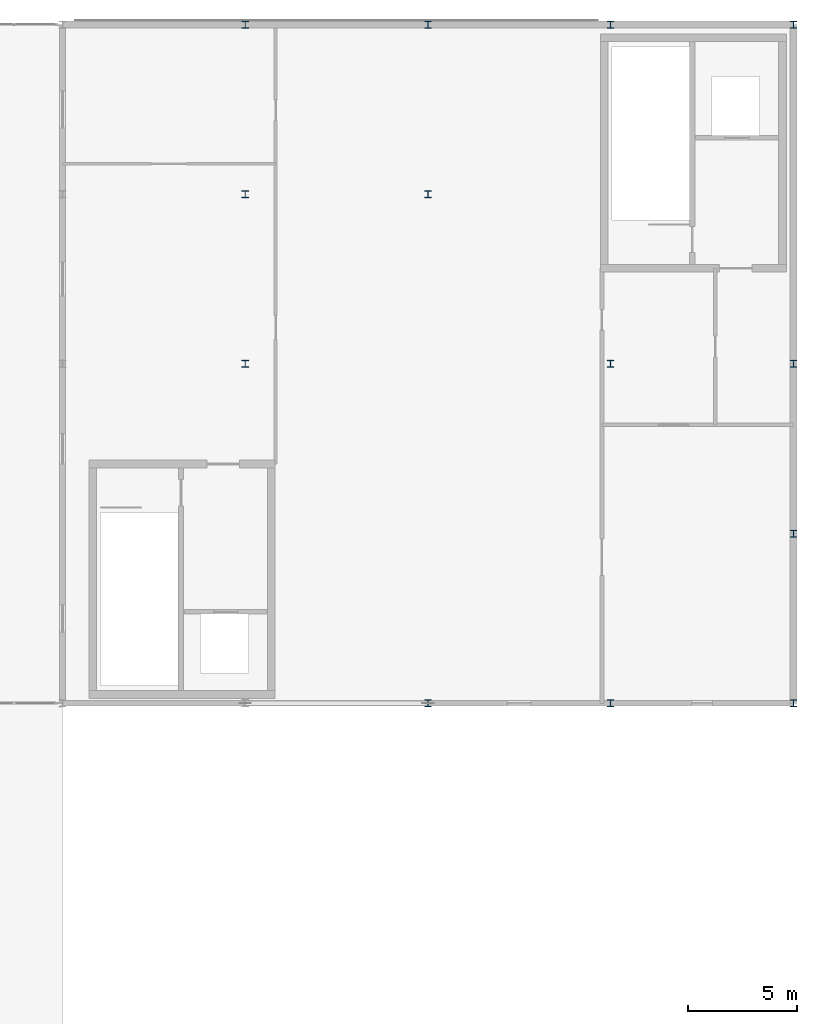
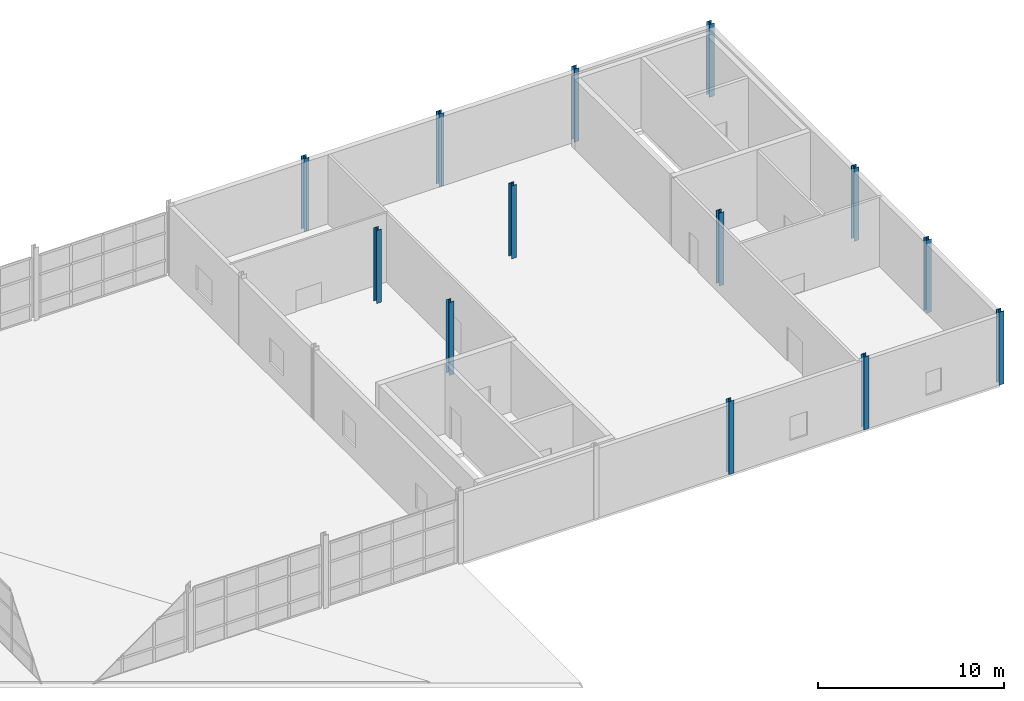
# One storey, part 2 of 14: 13 columns.
"""IFC4 building model written with IfcOpenShell, lengths in metres."""

from ifc_helpers import new_model, si_unit, direction, frame, origin, origin_2d, place, context, subcontext, project, spatial, i_section, extrude, material, material_profile, profile_set, type_object, element, save


model = new_model("IFC4")

# Units and contexts
model_context = context("Model", 3, precision=1e-05, world=origin(), true_north=direction((0.0, 1.0)))
body_context = subcontext(model_context, "Body", "Model", "MODEL_VIEW")
ifc_project = project(units=[si_unit("LENGTHUNIT", "METRE"), si_unit("AREAUNIT", "SQUARE_METRE"), si_unit("VOLUMEUNIT", "CUBIC_METRE"), si_unit("PLANEANGLEUNIT", "RADIAN"), si_unit("MASSUNIT", "GRAM", prefix="KILO")], contexts=[model_context])

# Site, building, storey
site_placement = place(None, origin())
site = spatial("IfcSite", under=ifc_project, at=site_placement, CompositionType="ELEMENT")
building_placement = place(site_placement, origin())
building = spatial("IfcBuilding", under=site, at=building_placement, Name="Selat Folded Stagehouse", CompositionType="ELEMENT")
storey_placement = place(building_placement, frame((0.0, 0.0, 27.60009765625)))
storey = spatial("IfcBuildingStorey", under=building, at=storey_placement, Name="L06", CompositionType="ELEMENT", Elevation=27.60009765625)

# Columns
ifc_material = material(Name="Steel S355", Category="steel")
ifc_material_profile = material_profile(ifc_material, i_section(OverallWidth=0.30908203125, OverallDepth=0.320556640625, WebThickness=0.013916015625, FlangeThickness=0.021728515625, FilletRadius=0.01513671875, at=origin_2d()), Name="UKC 305x305x137")
ifc_profile_set = profile_set([ifc_material_profile], Name="Steel S355")
column_type = type_object("IfcColumnType", Name="COL-UKC-305x305x137", PredefinedType="COLUMN", material=ifc_profile_set)
for number, where, z_axis, x_axis, name in (
    (1, (42.0, 39.0, 0.0), (0.0, 0.0, 1.0), (1.0, 0.0, 0.0), "L06 column STK-V2-12"),
    (2, (42.0, 46.800048828125, 0.0), (0.0, 0.0, 1.0), (1.0, 0.0, 0.0), "L06 column STK-V2-13"),
    (3, (42.0, 54.60009765625, 0.0), (0.0, 0.0, 1.0), (1.0, 0.0, 0.0), "L06 column STK-V2-14"),
    (4, (50.39990234375, 23.39990234375, 0.0), (0.0, 0.0, 1.0), (1.0, 0.0, 0.0), "L06 column STK-V2-15"),
    (5, (50.39990234375, 46.800048828125, 0.0), (0.0, 0.0, 1.0), (1.0, 0.0, 0.0), "L06 column STK-V2-16"),
    (6, (50.39990234375, 54.60009765625, 0.0), (0.0, 0.0, 1.0), (1.0, 0.0, 0.0), "L06 column STK-V2-17"),
    (7, (58.800048828125, 23.39990234375, 0.0), (0.0, 0.0, 1.0), (1.0, 0.0, 0.0), "L06 column STK-V2-18"),
    (8, (58.800048828125, 39.0, 0.0), (0.0, 0.0, 1.0), (1.0, 0.0, 0.0), "L06 column STK-V2-19"),
    (9, (58.800048828125, 54.60009765625, 0.0), (0.0, 0.0, 1.0), (1.0, 0.0, 0.0), "L06 column STK-V2-20"),
    (10, (67.199951171875, 23.39990234375, 0.0), (0.0, 0.0, 1.0), (1.0, 0.0, 0.0), "L06 column STK-V2-21"),
    (11, (67.199951171875, 31.199951171875, 0.0), (0.0, 0.0, 1.0), (1.0, 0.0, 0.0), "L06 column STK-V2-22"),
    (12, (67.199951171875, 39.0, 0.0), (0.0, 0.0, 1.0), (1.0, 0.0, 0.0), "L06 column STK-V2-23"),
    (13, (67.199951171875, 54.60009765625, 0.0), (0.0, 0.0, 1.0), (1.0, 0.0, 0.0), "L06 column STK-V2-24"),
):
    element("IfcColumn", number, at=place(storey_placement, frame(where, z_axis=z_axis, x_axis=x_axis)), inside=storey, type_object=column_type, Name=name, PredefinedType="COLUMN", context=body_context, shape_type="SweptSolid", body=[
        extrude(i_section(OverallWidth=0.30908203125, OverallDepth=0.320556640625, WebThickness=0.013916015625, FlangeThickness=0.021728515625, FilletRadius=0.01513671875, at=origin_2d()), origin(), (0.0, 0.0, 1.0), 4.7998046875),
    ])

save(model, "model.ifc")
